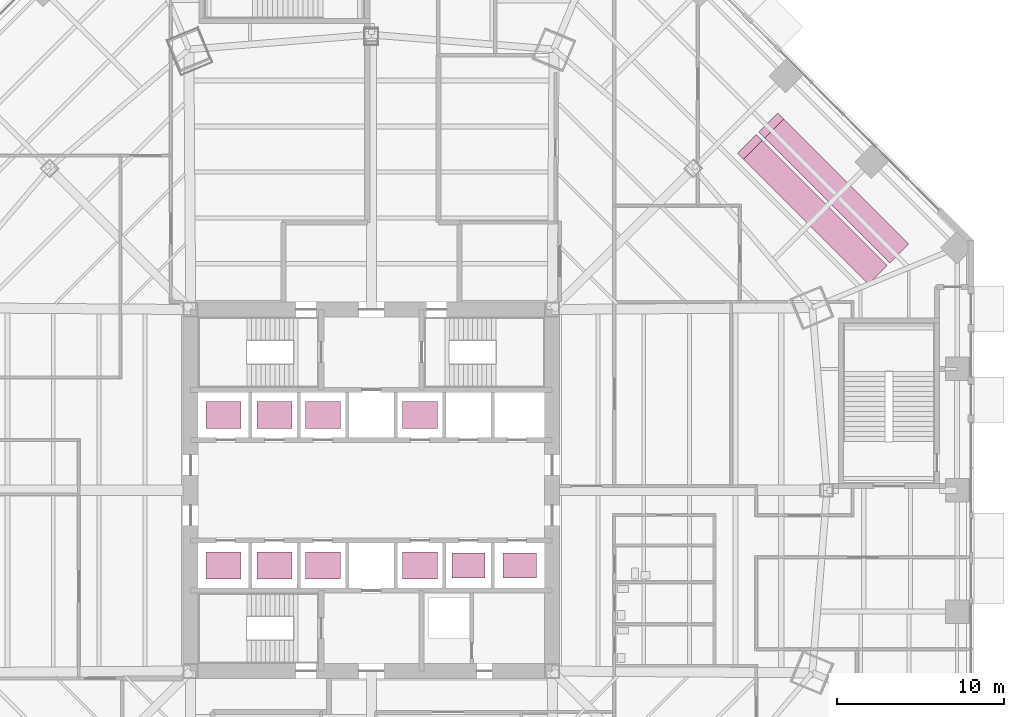
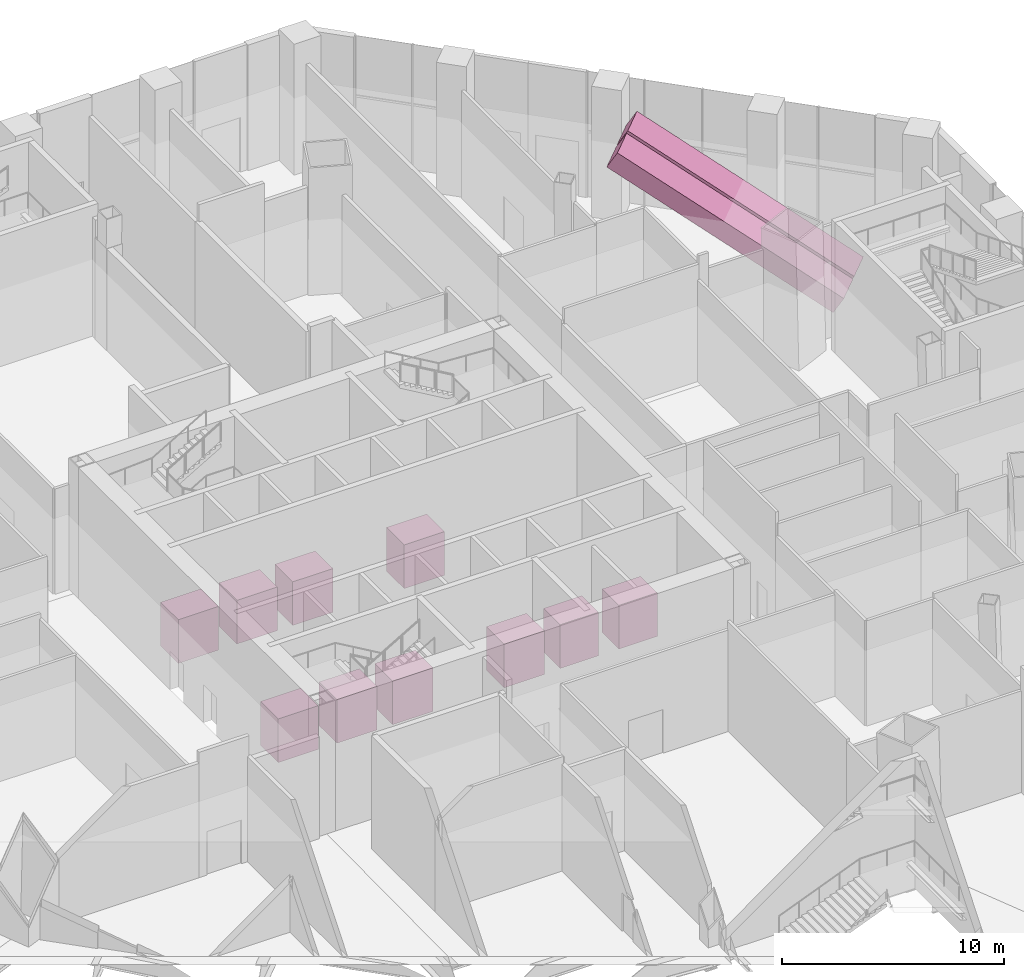
# One storey, part 35 of 35: 12 transport elements.
"""IFC4 building model written with IfcOpenShell, lengths in metres."""

from ifc_helpers import new_model, si_unit, direction, frame, origin, origin_2d, place, context, subcontext, project, spatial, rectangle, extrude, material, type_object, element, save


model = new_model("IFC4")

# Units and contexts
model_context = context("Model", 3, precision=1e-05, world=origin(), true_north=direction((0.0, 1.0)))
body_context = subcontext(model_context, "Body", "Model", "MODEL_VIEW")
ifc_project = project(units=[si_unit("LENGTHUNIT", "METRE"), si_unit("AREAUNIT", "SQUARE_METRE"), si_unit("VOLUMEUNIT", "CUBIC_METRE"), si_unit("PLANEANGLEUNIT", "RADIAN"), si_unit("MASSUNIT", "GRAM", prefix="KILO")], contexts=[model_context])

# Site, building, storey
site_placement = place(None, origin())
site = spatial("IfcSite", under=ifc_project, at=site_placement, CompositionType="ELEMENT")
building_placement = place(site_placement, origin())
building = spatial("IfcBuilding", under=site, at=building_placement, Name="Mashrafa Tower", CompositionType="ELEMENT")
storey_placement = place(building_placement, origin())
storey = spatial("IfcBuildingStorey", under=building, at=storey_placement, Name="L00", CompositionType="ELEMENT", Elevation=0.0)

# Transport elements
ifc_material_1 = material(Name="Steel escalator truss", Category="steel")
transport_element_type_1 = type_object("IfcTransportElementType", Name="Escalator 1000 step 30 degree", PredefinedType="ESCALATOR", material=ifc_material_1)
for number, where, z_axis, x_axis, name in (
    (1, (30.08544921875, 13.048095703125, 0.550048828125), (-0.612376184783, 0.612376184783, 0.499990816536), (-0.707106781187, -0.707106781187, 0.0), "Escalator L00 to L01 up"),
    (2, (31.3583984375, 14.32080078125, 0.550048828125), (-0.612376184783, 0.612376184783, 0.499990816536), (-0.707106781187, -0.707106781187, 0.0), "Escalator L00 to L01 down"),
):
    element("IfcTransportElement", number, at=place(storey_placement, frame(where, z_axis=z_axis, x_axis=x_axis)), inside=storey, type_object=transport_element_type_1, Name=name, PredefinedType="ESCALATOR", context=body_context, shape_type="SweptSolid", body=[
        extrude(rectangle(XDim=1.60009765625, YDim=1.0, at=origin_2d()), origin(), (0.0, 0.0, 1.0), 12.199951171875),
    ])
ifc_material_2 = material(Name="Steel lift car", Category="steel")
transport_element_type_2 = type_object("IfcTransportElementType", Name="Passenger lift 1350 kg car 2000 x 1500", PredefinedType="ELEVATOR", material=ifc_material_2)
for number, where, z_axis, x_axis, name in (
    (3, (5.800048828125, -4.5, 0.0), (0.0, 0.0, 1.0), (1.0, 0.0, 0.0), "Passenger lift R1"),
    (4, (8.85009765625, -4.5, 0.0), (0.0, 0.0, 1.0), (1.0, 0.0, 0.0), "Passenger lift R2"),
):
    element("IfcTransportElement", number, at=place(storey_placement, frame(where, z_axis=z_axis, x_axis=x_axis)), inside=storey, type_object=transport_element_type_2, Name=name, PredefinedType="ELEVATOR", context=body_context, shape_type="SweptSolid", body=[
        extrude(rectangle(XDim=2.0, YDim=1.5, at=origin_2d()), origin(), (0.0, 0.0, 1.0), 2.39990234375),
    ])
ifc_material_3 = material(Name="Steel lift car", Category="steel")
transport_element_type_3 = type_object("IfcTransportElementType", Name="Passenger lift 1600 kg car 2100 x 1600", PredefinedType="ELEVATOR", material=ifc_material_3)
for number, where, z_axis, x_axis, name in (
    (5, (-8.85009765625, 4.5, 0.0), (0.0, 0.0, 1.0), (1.0, 0.0, 0.0), "Passenger lift A1"),
    (6, (-5.800048828125, 4.5, 0.0), (0.0, 0.0, 1.0), (1.0, 0.0, 0.0), "Passenger lift A2"),
    (7, (-2.89990234375, 4.5, 0.0), (0.0, 0.0, 1.0), (1.0, 0.0, 0.0), "Passenger lift A3"),
    (8, (2.89990234375, 4.5, 0.0), (0.0, 0.0, 1.0), (1.0, 0.0, 0.0), "Passenger lift A4"),
    (9, (-8.85009765625, -4.5, 0.0), (0.0, 0.0, 1.0), (1.0, 0.0, 0.0), "Passenger lift B1"),
    (10, (-5.800048828125, -4.5, 0.0), (0.0, 0.0, 1.0), (1.0, 0.0, 0.0), "Passenger lift B2"),
    (11, (-2.89990234375, -4.5, 0.0), (0.0, 0.0, 1.0), (1.0, 0.0, 0.0), "Passenger lift B3"),
    (12, (2.89990234375, -4.5, 0.0), (0.0, 0.0, 1.0), (1.0, 0.0, 0.0), "Passenger lift B4"),
):
    element("IfcTransportElement", number, at=place(storey_placement, frame(where, z_axis=z_axis, x_axis=x_axis)), inside=storey, type_object=transport_element_type_3, Name=name, PredefinedType="ELEVATOR", context=body_context, shape_type="SweptSolid", body=[
        extrude(rectangle(XDim=2.10009765625, YDim=1.60009765625, at=origin_2d()), origin(), (0.0, 0.0, 1.0), 2.39990234375),
    ])

save(model, "model.ifc")
